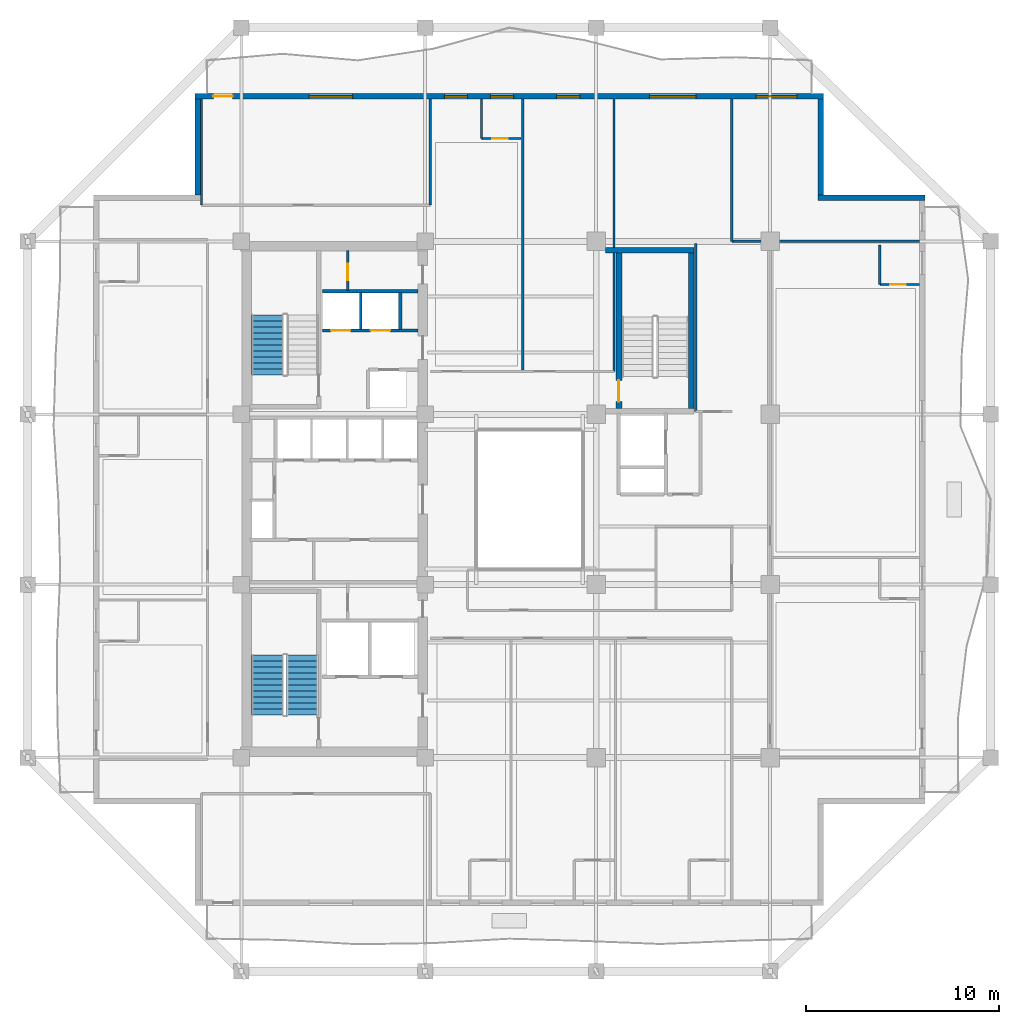
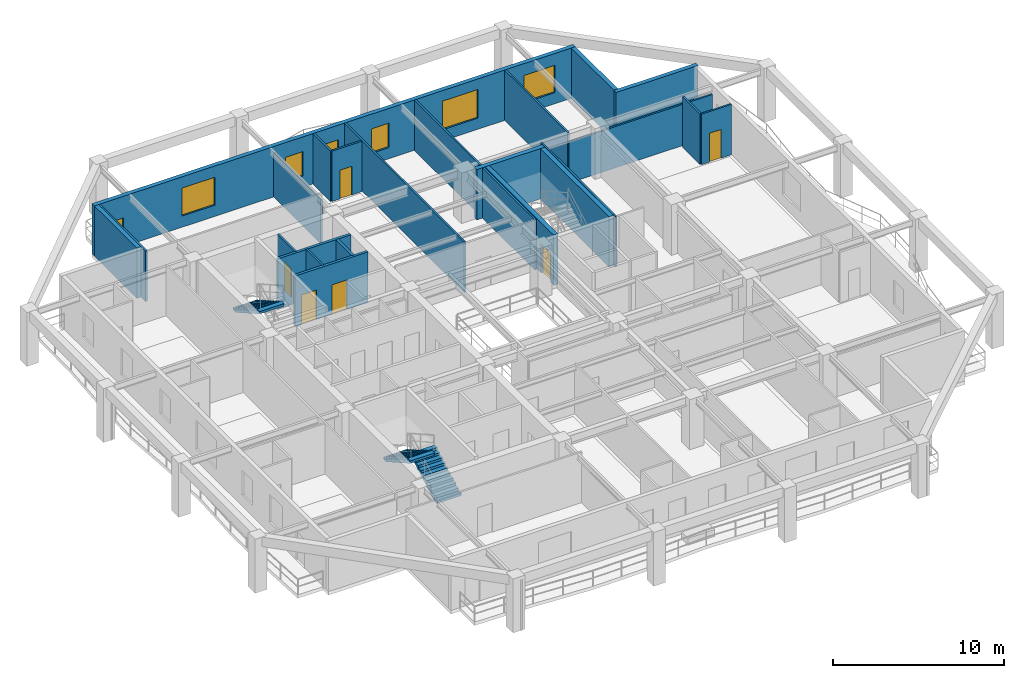
# One storey, part 6 of 13: 23 walls, 7 doors, 6 windows, 3 stair flights, 13 openings, 2 elements without a shape of their own.
"""IFC4 building model written with IfcOpenShell, lengths in metres."""

from ifc_helpers import new_model, si_unit, direction, frame, frame_2d, origin, place, context, subcontext, project, spatial, polyline, rectangle, outline, extrude, material, layer, layer_set, type_object, element, fill, aggregate, save


model = new_model("IFC4")

# Units and contexts
model_context = context("Model", 3, precision=1e-05, world=origin(), true_north=direction((0.0, 1.0)))
body_context = subcontext(model_context, "Body", "Model", "MODEL_VIEW")
ifc_project = project(units=[si_unit("LENGTHUNIT", "METRE"), si_unit("AREAUNIT", "SQUARE_METRE"), si_unit("VOLUMEUNIT", "CUBIC_METRE"), si_unit("PLANEANGLEUNIT", "RADIAN"), si_unit("MASSUNIT", "GRAM", prefix="KILO")], contexts=[model_context])

# Site, building, storey
site_placement = place(None, origin())
site = spatial("IfcSite", under=ifc_project, at=site_placement, CompositionType="ELEMENT")
building_placement = place(site_placement, origin())
building = spatial("IfcBuilding", under=site, at=building_placement, Name="Kundavana Baori Tower", CompositionType="ELEMENT")
storey_placement = place(building_placement, frame((0.0, 0.0, 181.0)))
storey = spatial("IfcBuildingStorey", under=building, at=storey_placement, Name="L44", CompositionType="ELEMENT", Elevation=181.0)

# Walls
ifc_material_1 = material(Name="Red-Buff Dholpur Sandstone Cladding on Concrete C40/50", Category="masonry")
ifc_layer_1 = layer(ifc_material_1, 0.280029296875, Name="WL-EXT-SAND-280")
ifc_layer_set_1 = layer_set([ifc_layer_1], Name="Red-Buff Dholpur Sandstone Cladding on Concrete C40/50")
wall_type_1 = type_object("IfcWallType", Name="WL-EXT-SAND-280", PredefinedType="STANDARD", material=ifc_layer_set_1)
wall_1_placement = place(storey_placement, frame((50.800048828125, 44.2099609375, 0.0), z_axis=(0.0, 0.0, 1.0), x_axis=(-1.0, 0.0, 0.0)))
element("IfcWall", 1, at=wall_1_placement, inside=storey, type_object=wall_type_1, Name="L44 Exterior Insulated Facade Wall 05", PredefinedType="STANDARD", context=body_context, shape_type="SweptSolid", body=[
    extrude(rectangle(XDim=5.530029296875, YDim=0.280029296875, at=frame_2d((2.76513671875, 0.0))), origin(), (0.0, 0.0, 1.0), 3.60009765625),
])
wall_2_placement = place(storey_placement, frame((45.409912109375, 44.35009765625, 0.0), z_axis=(0.0, 0.0, 1.0), x_axis=(0.0, 1.0, 0.0)))
element("IfcWall", 2, at=wall_2_placement, inside=storey, type_object=wall_type_1, Name="L44 Exterior Insulated Facade Wall 06", PredefinedType="STANDARD", context=body_context, shape_type="SweptSolid", body=[
    extrude(rectangle(XDim=4.969970703125, YDim=0.280029296875, at=frame_2d((2.48486328125, 0.0))), origin(), (0.0, 0.0, 1.0), 3.60009765625),
])

# Wall, openings, door, windows
wall_3_placement = place(storey_placement, frame((45.550048828125, 49.4599609375, 0.0), z_axis=(0.0, 0.0, 1.0), x_axis=(-1.0, 0.0, 0.0)))
wall_3 = element("IfcWall", 3, at=wall_3_placement, inside=storey, type_object=wall_type_1, Name="L44 Exterior Insulated Facade Wall 07", PredefinedType="STANDARD", context=body_context, shape_type="SweptSolid", body=[
    extrude(rectangle(XDim=32.5, YDim=0.280029296875, at=frame_2d((16.25, 0.0))), origin(), (0.0, 0.0, 1.0), 3.60009765625),
])
opening_1_placement = place(wall_3_placement, frame((30.550048828125, 0.0, 0.0)))
opening_1 = element("IfcOpeningElement", 4, at=opening_1_placement, cuts=wall_3, Name="Opening BD-1", PredefinedType="OPENING", context=body_context, shape_type="SweptSolid", body=[
    extrude(rectangle(XDim=1.0, YDim=2.050048828125, at=frame_2d((0.5, 1.02490234375))), frame((0.0, 0.14990234375, 0.0), z_axis=(0.0, -1.0, 0.0), x_axis=(1.0, 0.0, 0.0)), (0.0, 0.0, 1.0), 0.300048828125),
])
opening_2_placement = place(wall_3_placement, frame((24.344970703125, 0.0, 0.800048828125)))
opening_2 = element("IfcOpeningElement", 5, at=opening_2_placement, cuts=wall_3, Name="Opening W-10", PredefinedType="OPENING", context=body_context, shape_type="SweptSolid", body=[
    extrude(rectangle(XDim=2.25, YDim=2.0, at=frame_2d((1.125, 1.0))), frame((0.0, 0.14990234375, 0.0), z_axis=(0.0, -1.0, 0.0), x_axis=(1.0, 0.0, 0.0)), (0.0, 0.0, 1.0), 0.300048828125),
])
opening_3_placement = place(wall_3_placement, frame((18.405029296875, 0.0, 0.800048828125)))
opening_3 = element("IfcOpeningElement", 6, at=opening_3_placement, cuts=wall_3, Name="Opening W-03", PredefinedType="OPENING", context=body_context, shape_type="SweptSolid", body=[
    extrude(rectangle(XDim=1.199951171875, YDim=1.75, at=frame_2d((0.60009765625, 0.875))), frame((0.0, 0.14990234375, 0.0), z_axis=(0.0, -1.0, 0.0), x_axis=(1.0, 0.0, 0.0)), (0.0, 0.0, 1.0), 0.300048828125),
])
opening_4_placement = place(wall_3_placement, frame((16.014892578125, 0.0, 0.800048828125)))
opening_4 = element("IfcOpeningElement", 7, at=opening_4_placement, cuts=wall_3, Name="Opening W-03", PredefinedType="OPENING", context=body_context, shape_type="SweptSolid", body=[
    extrude(rectangle(XDim=1.199951171875, YDim=1.75, at=frame_2d((0.60009765625, 0.875))), frame((0.0, 0.14990234375, 0.0), z_axis=(0.0, -1.0, 0.0), x_axis=(1.0, 0.0, 0.0)), (0.0, 0.0, 1.0), 0.300048828125),
])
opening_5_placement = place(wall_3_placement, frame((12.590087890625, 0.0, 0.800048828125)))
opening_5 = element("IfcOpeningElement", 8, at=opening_5_placement, cuts=wall_3, Name="Opening W-03", PredefinedType="OPENING", context=body_context, shape_type="SweptSolid", body=[
    extrude(rectangle(XDim=1.199951171875, YDim=1.75, at=frame_2d((0.60009765625, 0.875))), frame((0.0, 0.14990234375, 0.0), z_axis=(0.0, -1.0, 0.0), x_axis=(1.0, 0.0, 0.0)), (0.0, 0.0, 1.0), 0.300048828125),
])
opening_6_placement = place(wall_3_placement, frame((6.580078125, 0.0, 0.800048828125)))
opening_6 = element("IfcOpeningElement", 9, at=opening_6_placement, cuts=wall_3, Name="Opening W-04", PredefinedType="OPENING", context=body_context, shape_type="SweptSolid", body=[
    extrude(rectangle(XDim=2.39990234375, YDim=2.050048828125, at=frame_2d((1.199951171875, 1.02490234375))), frame((0.0, 0.14990234375, 0.0), z_axis=(0.0, -1.0, 0.0), x_axis=(1.0, 0.0, 0.0)), (0.0, 0.0, 1.0), 0.300048828125),
])
opening_7_placement = place(wall_3_placement, frame((1.3701171875, 0.0, 0.800048828125)))
opening_7 = element("IfcOpeningElement", 10, at=opening_7_placement, cuts=wall_3, Name="Opening W-05", PredefinedType="OPENING", context=body_context, shape_type="SweptSolid", body=[
    extrude(rectangle(XDim=2.10009765625, YDim=1.949951171875, at=frame_2d((1.050048828125, 0.97509765625))), frame((0.0, 0.14990234375, 0.0), z_axis=(0.0, -1.0, 0.0), x_axis=(1.0, 0.0, 0.0)), (0.0, 0.0, 1.0), 0.300048828125),
])
ifc_material_2 = material(Name="Architectural Patinated Bronze Metalwork")
door_type_1 = type_object("IfcDoorType", Name="DR-EXT-LOG-1000", OperationType="NOTDEFINED", PredefinedType="DOOR", material=ifc_material_2)
door_1_placement = place(opening_1_placement, frame((1.0, 0.0, 0.0), z_axis=(0.0, 0.0, 1.0), x_axis=(-1.0, 0.0, 0.0)))
door_1 = element("IfcDoor", 11, at=door_1_placement, inside=storey, type_object=door_type_1, Name="L44 Loggia Balcony Access Door N", OperationType="SINGLE_SWING_LEFT", OverallHeight=2.050048828125, OverallWidth=1.0, PredefinedType="DOOR", context=body_context, shape_type="SweptSolid", body=[
    extrude(rectangle(XDim=1.0, YDim=2.050048828125, at=frame_2d((0.5, 1.02490234375))), frame((0.0, 0.02490234375, 0.0), z_axis=(0.0, -1.0, 0.0), x_axis=(1.0, 0.0, 0.0)), (0.0, 0.0, 1.0), 0.050048828125),
])
fill(opening_1, door_1)
ifc_material_3 = material(Name="Double-Glazed Solar-Control Low-E Insulated Glass", Category="glass")
window_type_1 = type_object("IfcWindowType", Name="WIN-LOG-1200x1750", PartitioningType="SINGLE_PANEL", PredefinedType="WINDOW", material=ifc_material_3)
window_1_placement = place(opening_3_placement, origin())
window_1 = element("IfcWindow", 12, at=window_1_placement, inside=storey, type_object=window_type_1, Name="L44 Recessed Loggia Window N-2", OverallHeight=1.75, OverallWidth=1.199951171875, PartitioningType="SINGLE_PANEL", PredefinedType="WINDOW", context=body_context, shape_type="SweptSolid", body=[
    extrude(rectangle(XDim=1.199951171875, YDim=1.75, at=frame_2d((0.60009765625, 0.875))), frame((0.0, 0.030029296875, 0.0), z_axis=(0.0, -1.0, 0.0), x_axis=(1.0, 0.0, 0.0)), (0.0, 0.0, 1.0), 0.06005859375),
])
fill(opening_3, window_1)
window_2_placement = place(opening_4_placement, origin())
window_2 = element("IfcWindow", 13, at=window_2_placement, inside=storey, type_object=window_type_1, Name="L44 Recessed Loggia Window N-3", OverallHeight=1.75, OverallWidth=1.199951171875, PartitioningType="SINGLE_PANEL", PredefinedType="WINDOW", context=body_context, shape_type="SweptSolid", body=[
    extrude(rectangle(XDim=1.199951171875, YDim=1.75, at=frame_2d((0.60009765625, 0.875))), frame((0.0, 0.030029296875, 0.0), z_axis=(0.0, -1.0, 0.0), x_axis=(1.0, 0.0, 0.0)), (0.0, 0.0, 1.0), 0.06005859375),
])
fill(opening_4, window_2)
window_3_placement = place(opening_5_placement, origin())
window_3 = element("IfcWindow", 14, at=window_3_placement, inside=storey, type_object=window_type_1, Name="L44 Recessed Loggia Window N-4", OverallHeight=1.75, OverallWidth=1.199951171875, PartitioningType="SINGLE_PANEL", PredefinedType="WINDOW", context=body_context, shape_type="SweptSolid", body=[
    extrude(rectangle(XDim=1.199951171875, YDim=1.75, at=frame_2d((0.60009765625, 0.875))), frame((0.0, 0.030029296875, 0.0), z_axis=(0.0, -1.0, 0.0), x_axis=(1.0, 0.0, 0.0)), (0.0, 0.0, 1.0), 0.06005859375),
])
fill(opening_5, window_3)
ifc_material_4 = material(Name="Double-Glazed Solar-Control Low-E Insulated Glass", Category="glass")
window_type_2 = type_object("IfcWindowType", Name="WIN-LOG-2100x1950", PartitioningType="SINGLE_PANEL", PredefinedType="WINDOW", material=ifc_material_4)
window_4_placement = place(opening_7_placement, origin())
window_4 = element("IfcWindow", 15, at=window_4_placement, inside=storey, type_object=window_type_2, Name="L44 Recessed Loggia Window N-6", OverallHeight=1.949951171875, OverallWidth=2.10009765625, PartitioningType="SINGLE_PANEL", PredefinedType="WINDOW", context=body_context, shape_type="SweptSolid", body=[
    extrude(rectangle(XDim=2.10009765625, YDim=1.949951171875, at=frame_2d((1.050048828125, 0.97509765625))), frame((0.0, 0.030029296875, 0.0), z_axis=(0.0, -1.0, 0.0), x_axis=(1.0, 0.0, 0.0)), (0.0, 0.0, 1.0), 0.06005859375),
])
fill(opening_7, window_4)
ifc_material_5 = material(Name="Double-Glazed Solar-Control Low-E Insulated Glass", Category="glass")
window_type_3 = type_object("IfcWindowType", Name="WIN-LOG-2250x2000", PartitioningType="SINGLE_PANEL", PredefinedType="WINDOW", material=ifc_material_5)
window_5_placement = place(opening_2_placement, origin())
window_5 = element("IfcWindow", 16, at=window_5_placement, inside=storey, type_object=window_type_3, Name="L44 Recessed Loggia Window N-1", OverallHeight=2.0, OverallWidth=2.25, PartitioningType="SINGLE_PANEL", PredefinedType="WINDOW", context=body_context, shape_type="SweptSolid", body=[
    extrude(rectangle(XDim=2.25, YDim=2.0, at=frame_2d((1.125, 1.0))), frame((0.0, 0.030029296875, 0.0), z_axis=(0.0, -1.0, 0.0), x_axis=(1.0, 0.0, 0.0)), (0.0, 0.0, 1.0), 0.06005859375),
])
fill(opening_2, window_5)
ifc_material_6 = material(Name="Double-Glazed Solar-Control Low-E Insulated Glass", Category="glass")
window_type_4 = type_object("IfcWindowType", Name="WIN-LOG-2400x2050", PartitioningType="SINGLE_PANEL", PredefinedType="WINDOW", material=ifc_material_6)
window_6_placement = place(opening_6_placement, origin())
window_6 = element("IfcWindow", 17, at=window_6_placement, inside=storey, type_object=window_type_4, Name="L44 Recessed Loggia Window N-5", OverallHeight=2.050048828125, OverallWidth=2.39990234375, PartitioningType="SINGLE_PANEL", PredefinedType="WINDOW", context=body_context, shape_type="SweptSolid", body=[
    extrude(rectangle(XDim=2.39990234375, YDim=2.050048828125, at=frame_2d((1.199951171875, 1.02490234375))), frame((0.0, 0.030029296875, 0.0), z_axis=(0.0, -1.0, 0.0), x_axis=(1.0, 0.0, 0.0)), (0.0, 0.0, 1.0), 0.06005859375),
])
fill(opening_6, window_6)

# Walls
wall_4_placement = place(storey_placement, frame((13.18994140625, 49.320068359375, 0.0), z_axis=(0.0, 0.0, 1.0), x_axis=(0.0, -1.0, 0.0)))
element("IfcWall", 18, at=wall_4_placement, inside=storey, type_object=wall_type_1, Name="L44 Exterior Insulated Facade Wall 08", PredefinedType="STANDARD", context=body_context, shape_type="SweptSolid", body=[
    extrude(rectangle(XDim=4.969970703125, YDim=0.280029296875, at=frame_2d((2.48486328125, 0.0))), origin(), (0.0, 0.0, 1.0), 3.60009765625),
])
ifc_material_7 = material(Name="Acoustic Gypsum Plasterboard on Galvanised Steel Studs", Category="steel")
ifc_layer_2 = layer(ifc_material_7, 0.1201171875, Name="WL-PART-120")
ifc_layer_set_2 = layer_set([ifc_layer_2], Name="Acoustic Gypsum Plasterboard on Galvanised Steel Studs")
wall_type_2 = type_object("IfcWallType", Name="WL-PART-120", PredefinedType="PARTITIONING", material=ifc_layer_set_2)
wall_5_placement = place(storey_placement, frame((21.6201171875, 37.39990234375, 0.0), z_axis=(0.0, 0.0, 1.0), x_axis=(0.0, 1.0, 0.0)))
element("IfcWall", 19, at=wall_5_placement, inside=storey, type_object=wall_type_2, Name="WL-L44-HR-DIV1", PredefinedType="PARTITIONING", context=body_context, shape_type="SweptSolid", body=[
    extrude(rectangle(XDim=1.900146484375, YDim=0.1201171875, at=frame_2d((0.9501953125, 0.0))), origin(), (0.0, 0.0, 1.0), 3.60009765625),
])

# Wall, opening, door
wall_6_placement = place(storey_placement, frame((20.949951171875, 39.39990234375, 0.0), z_axis=(0.0, 0.0, 1.0), x_axis=(0.0, 1.0, 0.0)))
wall_6 = element("IfcWall", 20, at=wall_6_placement, inside=storey, type_object=wall_type_2, Name="WL-L44-CSRV-D2", PredefinedType="PARTITIONING", context=body_context, shape_type="SweptSolid", body=[
    extrude(rectangle(XDim=2.080078125, YDim=0.1201171875, at=frame_2d((1.0400390625, 0.0))), origin(), (0.0, 0.0, 1.0), 3.60009765625),
])
opening_8_placement = place(wall_6_placement, frame((0.550048828125, 0.0, 0.0)))
opening_8 = element("IfcOpeningElement", 21, at=opening_8_placement, cuts=wall_6, Name="Opening FD-085", PredefinedType="OPENING", context=body_context, shape_type="SweptSolid", body=[
    extrude(rectangle(XDim=0.85009765625, YDim=2.06005859375, at=frame_2d((0.425048828125, 1.030029296875))), frame((0.0, 0.070068359375, 0.0), z_axis=(0.0, -1.0, 0.0), x_axis=(1.0, 0.0, 0.0)), (0.0, 0.0, 1.0), 0.14013671875),
])
ifc_material_8 = material(Name="Galvanised Steel Fire-Rated Door Leaf", Category="steel")
door_type_2 = type_object("IfcDoorType", Name="DR-FD60-850", OperationType="NOTDEFINED", PredefinedType="DOOR", material=ifc_material_8)
door_2_placement = place(opening_8_placement, origin())
door_2 = element("IfcDoor", 22, at=door_2_placement, inside=storey, type_object=door_type_2, Name="DR-L44-CSRV1", OperationType="SINGLE_SWING_RIGHT", OverallHeight=2.06005859375, OverallWidth=0.85009765625, PredefinedType="DOOR", context=body_context, shape_type="SweptSolid", body=[
    extrude(rectangle(XDim=0.85009765625, YDim=2.06005859375, at=frame_2d((0.425048828125, 1.030029296875))), frame((0.0, 0.02490234375, 0.0), z_axis=(0.0, -1.0, 0.0), x_axis=(1.0, 0.0, 0.0)), (0.0, 0.0, 1.0), 0.050048828125),
])
fill(opening_8, door_2)

# Walls
wall_7_placement = place(storey_placement, frame((40.820068359375, 41.949951171875, 0.0), z_axis=(0.0, 0.0, 1.0), x_axis=(1.0, 0.0, 0.0)))
element("IfcWall", 23, at=wall_7_placement, inside=storey, type_object=wall_type_2, Name="WL-L44-HEN", PredefinedType="PARTITIONING", context=body_context, shape_type="SweptSolid", body=[
    extrude(rectangle(XDim=9.699951171875, YDim=0.1201171875, at=frame_2d((4.85009765625, 0.0))), origin(), (0.0, 0.0, 1.0), 2.949951171875),
])
wall_8_placement = place(storey_placement, frame((13.389892578125, 43.820068359375, 0.0), z_axis=(0.0, 0.0, 1.0), x_axis=(0.0, 1.0, 0.0)))
element("IfcWall", 24, at=wall_8_placement, inside=storey, type_object=wall_type_2, Name="WL-L44-HNCW", PredefinedType="PARTITIONING", context=body_context, shape_type="SweptSolid", body=[
    extrude(rectangle(XDim=5.5, YDim=0.1201171875, at=frame_2d((2.75, 0.0))), origin(), (0.0, 0.0, 1.0), 3.60009765625),
])
wall_9_placement = place(storey_placement, frame((25.219970703125, 43.820068359375, 0.0), z_axis=(0.0, 0.0, 1.0), x_axis=(0.0, 1.0, 0.0)))
element("IfcWall", 25, at=wall_9_placement, inside=storey, type_object=wall_type_2, Name="WL-L44-HNCE", PredefinedType="PARTITIONING", context=body_context, shape_type="SweptSolid", body=[
    extrude(rectangle(XDim=5.5, YDim=0.1201171875, at=frame_2d((2.75, 0.0))), origin(), (0.0, 0.0, 1.0), 3.14990234375),
])
wall_10_placement = place(storey_placement, frame((34.719970703125, 35.219970703125, 0.0), z_axis=(0.0, 0.0, 1.0), x_axis=(0.0, 1.0, 0.0)))
element("IfcWall", 26, at=wall_10_placement, inside=storey, type_object=wall_type_2, Name="WL-L44-HNEND", PredefinedType="PARTITIONING", context=body_context, shape_type="SweptSolid", body=[
    extrude(rectangle(XDim=14.10009765625, YDim=0.1201171875, at=frame_2d((7.050048828125, 0.0))), origin(), (0.0, 0.0, 1.0), 3.60009765625),
])
wall_11_placement = place(storey_placement, frame((30.0, 35.300048828125, 0.0), z_axis=(0.0, 0.0, 1.0), x_axis=(0.0, 1.0, 0.0)))
element("IfcWall", 27, at=wall_11_placement, inside=storey, type_object=wall_type_2, Name="WL-L44-HND1", PredefinedType="PARTITIONING", context=body_context, shape_type="SweptSolid", body=[
    extrude(rectangle(XDim=14.02001953125, YDim=0.1201171875, at=frame_2d((7.010009765625, 0.0))), origin(), (0.0, 0.0, 1.0), 3.60009765625),
])
wall_12_placement = place(storey_placement, frame((38.949951171875, 33.14990234375, 0.0), z_axis=(0.0, 0.0, 1.0), x_axis=(0.0, 1.0, 0.0)))
element("IfcWall", 28, at=wall_12_placement, inside=storey, type_object=wall_type_2, Name="WL-L44-HNEW", PredefinedType="PARTITIONING", context=body_context, shape_type="SweptSolid", body=[
    extrude(rectangle(XDim=8.7001953125, YDim=0.1201171875, at=frame_2d((4.35009765625, 0.0))), origin(), (0.0, 0.0, 1.0), 3.60009765625),
])
wall_13_placement = place(storey_placement, frame((40.820068359375, 41.949951171875, 0.0), z_axis=(0.0, 0.0, 1.0), x_axis=(0.0, 1.0, 0.0)))
element("IfcWall", 29, at=wall_13_placement, inside=storey, type_object=wall_type_2, Name="WL-L44-HNEE", PredefinedType="PARTITIONING", context=body_context, shape_type="SweptSolid", body=[
    extrude(rectangle(XDim=7.3701171875, YDim=0.1201171875, at=frame_2d((3.68505859375, 0.0))), origin(), (0.0, 0.0, 1.0), 3.60009765625),
])

# Wall, openings, doors
ifc_material_9 = material(Name="Autoclaved Aerated Concrete Blockwork Masonry", Category="masonry")
ifc_layer_3 = layer(ifc_material_9, 0.179931640625, Name="WL-SHAFT-180")
ifc_layer_set_3 = layer_set([ifc_layer_3], Name="Autoclaved Aerated Concrete Blockwork Masonry")
wall_type_3 = type_object("IfcWallType", Name="WL-SHAFT-180", PredefinedType="SOLIDWALL", material=ifc_layer_set_3)
wall_14_placement = place(storey_placement, frame((19.639892578125, 37.340087890625, 0.0), z_axis=(0.0, 0.0, 1.0), x_axis=(1.0, 0.0, 0.0)))
wall_14 = element("IfcWall", 30, at=wall_14_placement, inside=storey, type_object=wall_type_3, Name="WL-L44-HRLOB-N", PredefinedType="SOLIDWALL", context=body_context, shape_type="SweptSolid", body=[
    extrude(rectangle(XDim=4.940185546875, YDim=0.179931640625, at=frame_2d((2.47021484375, 0.0))), origin(), (0.0, 0.0, 1.0), 3.60009765625),
])
opening_9_placement = place(wall_14_placement, frame((0.449951171875, 0.0, 0.0)))
opening_9 = element("IfcOpeningElement", 31, at=opening_9_placement, cuts=wall_14, Name="Opening LD-100", PredefinedType="OPENING", context=body_context, shape_type="SweptSolid", body=[
    extrude(rectangle(XDim=1.0, YDim=2.10009765625, at=frame_2d((0.5, 1.050048828125))), frame((0.0, 0.10009765625, 0.0), z_axis=(0.0, -1.0, 0.0), x_axis=(1.0, 0.0, 0.0)), (0.0, 0.0, 1.0), 0.199951171875),
])
opening_10_placement = place(wall_14_placement, frame((2.5, 0.0, 0.0)))
opening_10 = element("IfcOpeningElement", 32, at=opening_10_placement, cuts=wall_14, Name="Opening LD-100", PredefinedType="OPENING", context=body_context, shape_type="SweptSolid", body=[
    extrude(rectangle(XDim=1.0, YDim=2.10009765625, at=frame_2d((0.5, 1.050048828125))), frame((0.0, 0.10009765625, 0.0), z_axis=(0.0, -1.0, 0.0), x_axis=(1.0, 0.0, 0.0)), (0.0, 0.0, 1.0), 0.199951171875),
])
ifc_material_10 = material(Name="Galvanised Steel Fire-Rated Door Leaf", Category="steel")
door_type_3 = type_object("IfcDoorType", Name="DR-SLIDE-LD1000", OperationType="NOTDEFINED", PredefinedType="DOOR", material=ifc_material_10)
door_3_placement = place(opening_9_placement, frame((1.0, 0.0, 0.0), z_axis=(0.0, 0.0, 1.0), x_axis=(-1.0, 0.0, 0.0)))
door_3 = element("IfcDoor", 33, at=door_3_placement, inside=storey, type_object=door_type_3, Name="DR-L44-LD-LP09", OperationType="DOUBLE_DOOR_SLIDING", OverallHeight=2.10009765625, OverallWidth=1.0, PredefinedType="DOOR", context=body_context, shape_type="SweptSolid", body=[
    extrude(rectangle(XDim=1.0, YDim=2.10009765625, at=frame_2d((0.5, 1.050048828125))), frame((0.0, 0.02490234375, 0.0), z_axis=(0.0, -1.0, 0.0), x_axis=(1.0, 0.0, 0.0)), (0.0, 0.0, 1.0), 0.050048828125),
])
fill(opening_9, door_3)
door_4_placement = place(opening_10_placement, frame((1.0, 0.0, 0.0), z_axis=(0.0, 0.0, 1.0), x_axis=(-1.0, 0.0, 0.0)))
door_4 = element("IfcDoor", 34, at=door_4_placement, inside=storey, type_object=door_type_3, Name="DR-L44-LD-LP10", OperationType="DOUBLE_DOOR_SLIDING", OverallHeight=2.10009765625, OverallWidth=1.0, PredefinedType="DOOR", context=body_context, shape_type="SweptSolid", body=[
    extrude(rectangle(XDim=1.0, YDim=2.10009765625, at=frame_2d((0.5, 1.050048828125))), frame((0.0, 0.02490234375, 0.0), z_axis=(0.0, -1.0, 0.0), x_axis=(1.0, 0.0, 0.0)), (0.0, 0.0, 1.0), 0.050048828125),
])
fill(opening_10, door_4)

# Walls
wall_15_placement = place(storey_placement, frame((19.639892578125, 39.360107421875, 0.0), z_axis=(0.0, 0.0, 1.0), x_axis=(1.0, 0.0, 0.0)))
element("IfcWall", 35, at=wall_15_placement, inside=storey, type_object=wall_type_3, Name="WL-L44-HRLOB-TOP", PredefinedType="SOLIDWALL", context=body_context, shape_type="SweptSolid", body=[
    extrude(rectangle(XDim=4.940185546875, YDim=0.179931640625, at=frame_2d((2.47021484375, 0.0))), origin(), (0.0, 0.0, 1.0), 3.60009765625),
])
wall_16_placement = place(storey_placement, frame((23.659912109375, 37.39990234375, 0.0), z_axis=(0.0, 0.0, 1.0), x_axis=(0.0, 1.0, 0.0)))
element("IfcWall", 36, at=wall_16_placement, inside=storey, type_object=wall_type_3, Name="WL-L44-HR-DIV2", PredefinedType="SOLIDWALL", context=body_context, shape_type="SweptSolid", body=[
    extrude(rectangle(XDim=1.900146484375, YDim=0.179931640625, at=frame_2d((0.9501953125, 0.0))), origin(), (0.0, 0.0, 1.0), 3.60009765625),
])
ifc_material_11 = material(Name="Concrete C50/60", Category="concrete")
ifc_layer_4 = layer(ifc_material_11, 0.300048828125, Name="WL-ST3-300")
ifc_layer_set_4 = layer_set([ifc_layer_4], Name="Concrete C50/60")
wall_type_4 = type_object("IfcWallType", Name="WL-ST3-300", PredefinedType="SHEAR", material=ifc_layer_set_4)
wall_17_placement = place(storey_placement, frame((34.27490234375, 41.489990234375, 0.0), z_axis=(0.0, 0.0, 1.0), x_axis=(1.0, 0.0, 0.0)))
element("IfcWall", 37, at=wall_17_placement, inside=storey, type_object=wall_type_4, Name="L44 Stair ST3 North Shear Wall", PredefinedType="SHEAR", context=body_context, shape_type="SweptSolid", body=[
    extrude(rectangle(XDim=4.59521484375, YDim=0.300048828125, at=frame_2d((2.297607421875, 0.0))), origin(), (0.0, 0.0, 1.0), 3.60009765625),
])

# Wall, opening, door
wall_18_placement = place(storey_placement, frame((34.97998046875, 33.31005859375, 0.0), z_axis=(0.0, 0.0, 1.0), x_axis=(0.0, 1.0, 0.0)))
wall_18 = element("IfcWall", 38, at=wall_18_placement, inside=storey, type_object=wall_type_4, Name="L44 Stair ST3 West Shear Wall", PredefinedType="SHEAR", context=body_context, shape_type="SweptSolid", body=[
    extrude(rectangle(XDim=8.030029296875, YDim=0.300048828125, at=frame_2d((4.01513671875, 0.0))), origin(), (0.0, 0.0, 1.0), 3.60009765625),
])
opening_11_placement = place(wall_18_placement, frame((0.35009765625, 0.0, 0.0)))
opening_11 = element("IfcOpeningElement", 39, at=opening_11_placement, cuts=wall_18, Name="Opening FD-110", PredefinedType="OPENING", context=body_context, shape_type="SweptSolid", body=[
    extrude(rectangle(XDim=1.10009765625, YDim=2.10009765625, at=frame_2d((0.550048828125, 1.050048828125))), frame((0.0, 0.16015625, 0.0), z_axis=(0.0, -1.0, 0.0), x_axis=(1.0, 0.0, 0.0)), (0.0, 0.0, 1.0), 0.320068359375),
])
ifc_material_12 = material(Name="Galvanised Steel Fire-Rated Door Leaf", Category="steel")
door_type_4 = type_object("IfcDoorType", Name="DR-FD120-1100", OperationType="NOTDEFINED", PredefinedType="DOOR", material=ifc_material_12)
door_5_placement = place(opening_11_placement, origin())
door_5 = element("IfcDoor", 40, at=door_5_placement, inside=storey, type_object=door_type_4, Name="DR-L44-ST3-W", OperationType="SINGLE_SWING_LEFT", OverallHeight=2.10009765625, OverallWidth=1.10009765625, PredefinedType="DOOR", context=body_context, shape_type="SweptSolid", body=[
    extrude(rectangle(XDim=1.10009765625, YDim=2.10009765625, at=frame_2d((0.550048828125, 1.050048828125))), frame((0.0, 0.02490234375, 0.0), z_axis=(0.0, -1.0, 0.0), x_axis=(1.0, 0.0, 0.0)), (0.0, 0.0, 1.0), 0.050048828125),
])
fill(opening_11, door_5)

# Walls
wall_19_placement = place(storey_placement, frame((38.719970703125, 33.31005859375, 0.0), z_axis=(0.0, 0.0, 1.0), x_axis=(0.0, 1.0, 0.0)))
element("IfcWall", 41, at=wall_19_placement, inside=storey, type_object=wall_type_4, Name="L44 Stair ST3 East Shear Wall", PredefinedType="SHEAR", context=body_context, shape_type="SweptSolid", body=[
    extrude(rectangle(XDim=8.030029296875, YDim=0.300048828125, at=frame_2d((4.01513671875, 0.0))), origin(), (0.0, 0.0, 1.0), 3.60009765625),
])
ifc_material_13 = material(Name="Autoclaved Aerated Concrete Blockwork Masonry", Category="masonry")
ifc_layer_5 = layer(ifc_material_13, 0.125, Name="WL-WET-120")
ifc_layer_set_5 = layer_set([ifc_layer_5], Name="Autoclaved Aerated Concrete Blockwork Masonry")
wall_type_5 = type_object("IfcWallType", Name="WL-WET-120", PredefinedType="PLUMBINGWALL", material=ifc_layer_set_5)
wall_20_placement = place(storey_placement, frame((48.469970703125, 39.719970703125, 0.0), z_axis=(0.0, 0.0, 1.0), x_axis=(0.0, 1.0, 0.0)))
element("IfcWall", 42, at=wall_20_placement, inside=storey, type_object=wall_type_5, Name="WL-L44-HK-E2-BW", PredefinedType="PLUMBINGWALL", context=body_context, shape_type="SweptSolid", body=[
    extrude(rectangle(XDim=2.050048828125, YDim=0.125, at=frame_2d((1.02490234375, 0.0))), origin(), (0.0, 0.0, 1.0), 3.60009765625),
])

# Wall, opening, door
wall_21_placement = place(storey_placement, frame((48.469970703125, 39.719970703125, 0.0), z_axis=(0.0, 0.0, 1.0), x_axis=(1.0, 0.0, 0.0)))
wall_21 = element("IfcWall", 43, at=wall_21_placement, inside=storey, type_object=wall_type_5, Name="WL-L44-HK-E2-BS", PredefinedType="PLUMBINGWALL", context=body_context, shape_type="SweptSolid", body=[
    extrude(rectangle(XDim=2.050048828125, YDim=0.125, at=frame_2d((1.02490234375, 0.0))), origin(), (0.0, 0.0, 1.0), 3.60009765625),
])
opening_12_placement = place(wall_21_placement, frame((0.550048828125, 0.0, 0.0)))
opening_12 = element("IfcOpeningElement", 44, at=opening_12_placement, cuts=wall_21, Name="Opening WD-080", PredefinedType="OPENING", context=body_context, shape_type="SweptSolid", body=[
    extrude(rectangle(XDim=0.800048828125, YDim=2.050048828125, at=frame_2d((0.39990234375, 1.02490234375))), frame((0.0, 0.072509765625, 0.0), z_axis=(0.0, -1.0, 0.0), x_axis=(1.0, 0.0, 0.0)), (0.0, 0.0, 1.0), 0.14501953125),
])
ifc_material_14 = material(Name="Engineered Teak Solid-Core Timber Veneer", Category="wood")
door_type_5 = type_object("IfcDoorType", Name="DR-WET-800", OperationType="NOTDEFINED", PredefinedType="DOOR", material=ifc_material_14)
door_6_placement = place(opening_12_placement, frame((0.800048828125, 0.0, 0.0), z_axis=(0.0, 0.0, 1.0), x_axis=(-1.0, 0.0, 0.0)))
door_6 = element("IfcDoor", 45, at=door_6_placement, inside=storey, type_object=door_type_5, Name="DR-L44-HK-E2-ENS", OperationType="SINGLE_SWING_LEFT", OverallHeight=2.050048828125, OverallWidth=0.800048828125, PredefinedType="DOOR", context=body_context, shape_type="SweptSolid", body=[
    extrude(rectangle(XDim=0.800048828125, YDim=2.050048828125, at=frame_2d((0.39990234375, 1.02490234375))), frame((0.0, 0.02490234375, 0.0), z_axis=(0.0, -1.0, 0.0), x_axis=(1.0, 0.0, 0.0)), (0.0, 0.0, 1.0), 0.050048828125),
])
fill(opening_12, door_6)

# Wall
wall_22_placement = place(storey_placement, frame((27.8701171875, 47.27001953125, 0.0), z_axis=(0.0, 0.0, 1.0), x_axis=(0.0, 1.0, 0.0)))
element("IfcWall", 46, at=wall_22_placement, inside=storey, type_object=wall_type_5, Name="WL-L44-HK-N1-BW", PredefinedType="PLUMBINGWALL", context=body_context, shape_type="SweptSolid", body=[
    extrude(rectangle(XDim=2.050048828125, YDim=0.125, at=frame_2d((1.02490234375, 0.0))), origin(), (0.0, 0.0, 1.0), 3.60009765625),
])

# Wall, opening, door
wall_23_placement = place(storey_placement, frame((27.8701171875, 47.27001953125, 0.0), z_axis=(0.0, 0.0, 1.0), x_axis=(1.0, 0.0, 0.0)))
wall_23 = element("IfcWall", 47, at=wall_23_placement, inside=storey, type_object=wall_type_5, Name="WL-L44-HK-N1-BS", PredefinedType="PLUMBINGWALL", context=body_context, shape_type="SweptSolid", body=[
    extrude(rectangle(XDim=2.0498046875, YDim=0.125, at=frame_2d((1.02490234375, 0.0))), origin(), (0.0, 0.0, 1.0), 3.60009765625),
])
opening_13_placement = place(wall_23_placement, frame((0.550048828125, 0.0, 0.0)))
opening_13 = element("IfcOpeningElement", 48, at=opening_13_placement, cuts=wall_23, Name="Opening WD-080", PredefinedType="OPENING", context=body_context, shape_type="SweptSolid", body=[
    extrude(rectangle(XDim=0.800048828125, YDim=2.050048828125, at=frame_2d((0.39990234375, 1.02490234375))), frame((0.0, 0.072509765625, 0.0), z_axis=(0.0, -1.0, 0.0), x_axis=(1.0, 0.0, 0.0)), (0.0, 0.0, 1.0), 0.14501953125),
])
door_7_placement = place(opening_13_placement, frame((0.800048828125, 0.0, 0.0), z_axis=(0.0, 0.0, 1.0), x_axis=(-1.0, 0.0, 0.0)))
door_7 = element("IfcDoor", 49, at=door_7_placement, inside=storey, type_object=door_type_5, Name="DR-L44-HK-N1-ENS", OperationType="SINGLE_SWING_LEFT", OverallHeight=2.050048828125, OverallWidth=0.800048828125, PredefinedType="DOOR", context=body_context, shape_type="SweptSolid", body=[
    extrude(rectangle(XDim=0.800048828125, YDim=2.050048828125, at=frame_2d((0.39990234375, 1.02490234375))), frame((0.0, 0.02490234375, 0.0), z_axis=(0.0, -1.0, 0.0), x_axis=(1.0, 0.0, 0.0)), (0.0, 0.0, 1.0), 0.050048828125),
])
fill(opening_13, door_7)

# Stair, stair flights
ifc_material_15 = material(Name="Concrete C40/50", Category="concrete")
stair_type = type_object("IfcStairType", Name="STR-DOG-1650", PredefinedType="HALF_TURN_STAIR", material=ifc_material_15)
stair_1_placement = place(storey_placement, origin())
stair_1 = element("IfcStair", 50, at=stair_1_placement, inside=storey, type_object=stair_type, Name="L44 Protected Exit Stair ST1", PredefinedType="HALF_TURN_STAIR")
ifc_material_16 = material(Name="Concrete C40/50", Category="concrete")
stair_flight_type = type_object("IfcStairFlightType", Name="SFL-RC-1650", PredefinedType="STRAIGHT", material=ifc_material_16)
stair_flight_1_placement = place(storey_placement, frame((18.614990234375, 17.449951171875, 0.0), z_axis=(0.0, 0.0, 1.0), x_axis=(0.0, 1.0, 0.0)))
stair_flight_1 = element("IfcStairFlight", 51, at=stair_flight_1_placement, type_object=stair_flight_type, Name="ST1 flight 1", NumberOfRisers=11, NumberOfTreads=10, PredefinedType="STRAIGHT", RiserHeight=0.175, TreadLength=0.31, context=body_context, shape_type="SweptSolid", body=[
    extrude(outline(polyline([(0.0, 0.0), (0.0, 0.175048828125), (0.31005859375, 0.175048828125), (0.31005859375, 0.35009765625), (0.6201171875, 0.35009765625), (0.6201171875, 0.52490234375), (0.929931640625, 0.52490234375), (0.929931640625, 0.699951171875), (1.239990234375, 0.699951171875), (1.239990234375, 0.875), (1.550048828125, 0.875), (1.550048828125, 1.050048828125), (1.860107421875, 1.050048828125), (1.860107421875, 1.22509765625), (2.169921875, 1.22509765625), (2.169921875, 1.39990234375), (2.47998046875, 1.39990234375), (2.47998046875, 1.574951171875), (2.7900390625, 1.574951171875), (2.7900390625, 1.75), (3.10009765625, 1.75), (3.10009765625, 1.925048828125), (3.10009765625, 1.577880859375), (0.304931640625, 0.0), (0.0, 0.0)])), frame((0.0, 0.824951171875, 0.0), z_axis=(0.0, -1.0, 0.0), x_axis=(1.0, 0.0, 0.0)), (0.0, 0.0, 1.0), 1.64990234375),
])
stair_flight_2_placement = place(storey_placement, frame((16.804931640625, 20.550048828125, 1.925048828125), z_axis=(0.0, 0.0, 1.0), x_axis=(0.0, -1.0, 0.0)))
stair_flight_2 = element("IfcStairFlight", 52, at=stair_flight_2_placement, type_object=stair_flight_type, Name="ST1 flight 2", NumberOfRisers=11, NumberOfTreads=10, PredefinedType="STRAIGHT", RiserHeight=0.175, TreadLength=0.31, context=body_context, shape_type="SweptSolid", body=[
    extrude(outline(polyline([(0.0, 0.0), (0.0, 0.175048828125), (0.31005859375, 0.175048828125), (0.31005859375, 0.35009765625), (0.6201171875, 0.35009765625), (0.6201171875, 0.52490234375), (0.929931640625, 0.52490234375), (0.929931640625, 0.699951171875), (1.239990234375, 0.699951171875), (1.239990234375, 0.875), (1.550048828125, 0.875), (1.550048828125, 1.050048828125), (1.860107421875, 1.050048828125), (1.860107421875, 1.22509765625), (2.169921875, 1.22509765625), (2.169921875, 1.39990234375), (2.47998046875, 1.39990234375), (2.47998046875, 1.574951171875), (2.7900390625, 1.574951171875), (2.7900390625, 1.75), (3.10009765625, 1.75), (3.10009765625, 1.925048828125), (3.10009765625, 1.577880859375), (0.304931640625, 0.0), (0.0, 0.0)])), frame((0.0, 0.824951171875, 0.0), z_axis=(0.0, -1.0, 0.0), x_axis=(1.0, 0.0, 0.0)), (0.0, 0.0, 1.0), 1.64990234375),
])
aggregate(stair_1, [stair_flight_1, stair_flight_2])

# Stair, stair flight
stair_2_placement = place(storey_placement, origin())
stair_2 = element("IfcStair", 53, at=stair_2_placement, inside=storey, type_object=stair_type, Name="L44 Protected Exit Stair ST2", PredefinedType="HALF_TURN_STAIR")
stair_flight_3_placement = place(storey_placement, frame((16.804931640625, 38.14990234375, 1.925048828125), z_axis=(0.0, 0.0, 1.0), x_axis=(0.0, -1.0, 0.0)))
stair_flight_3 = element("IfcStairFlight", 54, at=stair_flight_3_placement, type_object=stair_flight_type, Name="ST2 flight 2", NumberOfRisers=11, NumberOfTreads=10, PredefinedType="STRAIGHT", RiserHeight=0.175, TreadLength=0.31, context=body_context, shape_type="SweptSolid", body=[
    extrude(outline(polyline([(0.0, 0.0), (0.0, 0.175048828125), (0.31005859375, 0.175048828125), (0.31005859375, 0.35009765625), (0.6201171875, 0.35009765625), (0.6201171875, 0.52490234375), (0.929931640625, 0.52490234375), (0.929931640625, 0.699951171875), (1.239990234375, 0.699951171875), (1.239990234375, 0.875), (1.550048828125, 0.875), (1.550048828125, 1.050048828125), (1.860107421875, 1.050048828125), (1.860107421875, 1.22509765625), (2.169921875, 1.22509765625), (2.169921875, 1.39990234375), (2.47998046875, 1.39990234375), (2.47998046875, 1.574951171875), (2.7900390625, 1.574951171875), (2.7900390625, 1.75), (3.10009765625, 1.75), (3.10009765625, 1.925048828125), (3.10009765625, 1.577880859375), (0.304931640625, 0.0), (0.0, 0.0)])), frame((0.0, 0.824951171875, 0.0), z_axis=(0.0, -1.0, 0.0), x_axis=(1.0, 0.0, 0.0)), (0.0, 0.0, 1.0), 1.64990234375),
])
aggregate(stair_2, [stair_flight_3])

save(model, "model.ifc")
